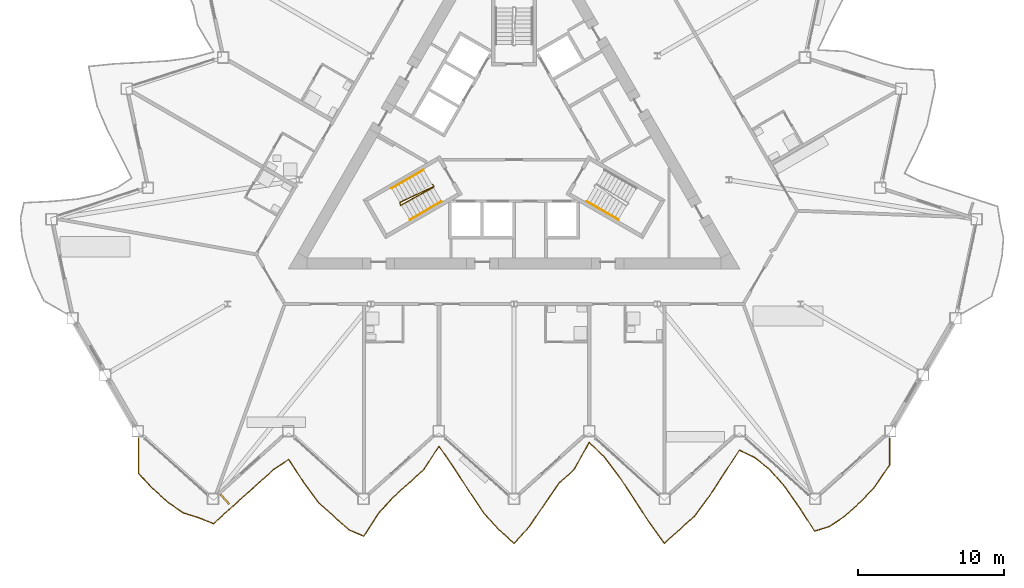
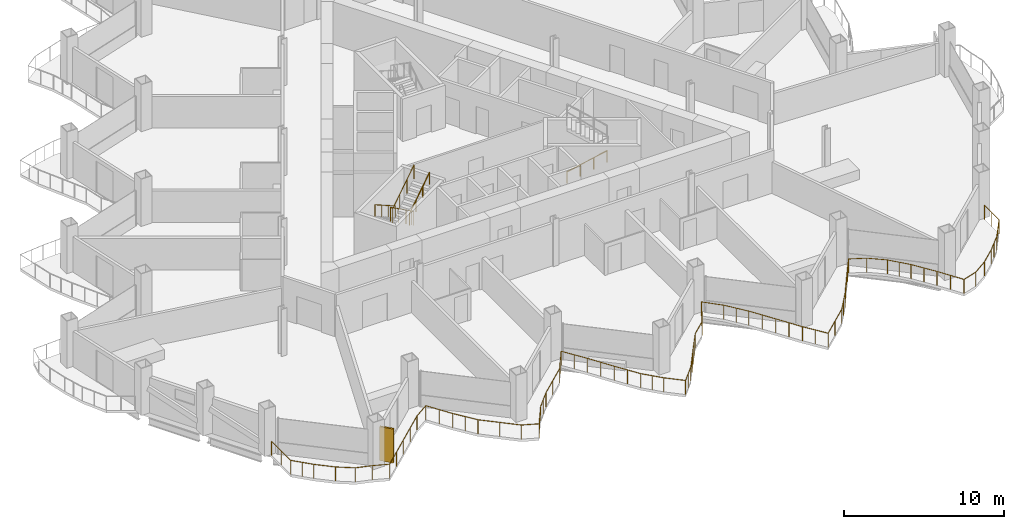
# One storey, part 19 of 23: 5 railings, 1 shading device.
"""IFC4 building model written with IfcOpenShell, lengths in metres."""

from ifc_helpers import new_model, si_unit, direction, frame, origin, origin_2d, place, context, subcontext, project, spatial, rectangle, circle, extrude, material, layer, layer_set, type_object, element, save


model = new_model("IFC4")

# Units and contexts
model_context = context("Model", 3, precision=1e-05, world=origin(), true_north=direction((0.0, 1.0)))
body_context = subcontext(model_context, "Body", "Model", "MODEL_VIEW")
ifc_project = project(units=[si_unit("LENGTHUNIT", "METRE"), si_unit("AREAUNIT", "SQUARE_METRE"), si_unit("VOLUMEUNIT", "CUBIC_METRE"), si_unit("PLANEANGLEUNIT", "RADIAN"), si_unit("MASSUNIT", "GRAM", prefix="KILO")], contexts=[model_context])

# Site, building, storey
site_placement = place(None, origin())
site = spatial("IfcSite", under=ifc_project, at=site_placement, CompositionType="ELEMENT")
building_placement = place(site_placement, origin())
building = spatial("IfcBuilding", under=site, at=building_placement, Name="Cormorant Prow Tower", CompositionType="ELEMENT")
storey_placement = place(building_placement, frame((0.0, 0.0, 208.800048828125)))
storey = spatial("IfcBuildingStorey", under=building, at=storey_placement, Name="L46", CompositionType="ELEMENT", Elevation=208.800048828125)

# Railings
ifc_material_1 = material(Name="Aluminium 6063-T6", Category="aluminium")
railing_type_1 = type_object("IfcRailingType", Name="Balcony guard 1100", PredefinedType="GUARDRAIL", material=ifc_material_1)
railing_1_placement = place(storey_placement, frame((-25.7783203125, -20.56494140625, 0.0)))
element("IfcRailing", 1, at=railing_1_placement, inside=storey, type_object=railing_type_1, Name="Balcony guard S", PredefinedType="GUARDRAIL", context=body_context, shape_type="SweptSolid", body=[
    extrude(circle(Radius=0.02392578125, at=origin_2d()), frame((0.0, 0.0, 1.076171875), z_axis=(0.0, -1.0, 0.0), x_axis=(1.0, 0.0, 0.0)), (0.0, 0.0, 1.0), 2.40380859375),
    extrude(circle(Radius=0.02392578125, at=origin_2d()), frame((0.0, -2.40380859375, 1.076171875), z_axis=(0.685769725177, -0.727818579064, 0.0), x_axis=(0.727818579064, 0.685769725177, 0.0)), (0.0, 0.0, 1.0), 1.50390625),
    extrude(circle(Radius=0.02392578125, at=origin_2d()), frame((1.03125, -3.498291015625, 1.076171875), z_axis=(0.74317165604, -0.669100806799, 0.0), x_axis=(0.669100806799, 0.74317165604, 0.0)), (0.0, 0.0, 1.0), 1.3876953125),
    extrude(circle(Radius=0.02392578125, at=origin_2d()), frame((2.0625, -4.4267578125, 1.076171875), z_axis=(0.825800981874, -0.563961646158, 0.0), x_axis=(0.563961646158, 0.825800981874, 0.0)), (0.0, 0.0, 1.0), 1.24853515625),
    extrude(circle(Radius=0.02392578125, at=origin_2d()), frame((3.093505859375, -5.130859375, 1.076171875), z_axis=(0.954395491604, -0.298545215347, 0.0), x_axis=(0.298545215347, 0.954395491604, 0.0)), (0.0, 0.0, 1.0), 1.080322265625),
    extrude(circle(Radius=0.02392578125, at=origin_2d()), frame((4.12451171875, -5.453369140625, 1.076171875), z_axis=(0.929655900178, -0.368428971804, 0.0), x_axis=(0.368428971804, 0.929655900178, 0.0)), (0.0, 0.0, 1.0), 1.109375),
    extrude(circle(Radius=0.02392578125, at=origin_2d()), frame((5.15576171875, -5.862060546875, 1.076171875), z_axis=(0.74317165604, 0.669100806799, 0.0), x_axis=(-0.669100806799, 0.74317165604, 0.0)), (0.0, 0.0, 1.0), 1.3876953125),
    extrude(circle(Radius=0.02392578125, at=origin_2d()), frame((6.18701171875, -4.93359375, 1.076171875), z_axis=(0.743180377895, 0.669091119289, 0.0), x_axis=(-0.669091119289, 0.743180377895, 0.0)), (0.0, 0.0, 1.0), 1.38720703125),
    extrude(circle(Radius=0.02392578125, at=origin_2d()), frame((7.218017578125, -4.00537109375, 1.076171875), z_axis=(0.743092872858, 0.669188301084, 0.0), x_axis=(-0.669188301084, 0.743092872858, 0.0)), (0.0, 0.0, 1.0), 1.387451171875),
    extrude(circle(Radius=0.02392578125, at=origin_2d()), frame((8.2490234375, -3.076904296875, 1.076171875), z_axis=(0.74317165604, 0.669100806799, 0.0), x_axis=(-0.669100806799, 0.74317165604, 0.0)), (0.0, 0.0, 1.0), 1.3876953125),
    extrude(circle(Radius=0.02392578125, at=origin_2d()), frame((9.2802734375, -2.1484375, 1.076171875), z_axis=(0.831231964357, 0.555925733738, 0.0), x_axis=(-0.555925733738, 0.831231964357, 0.0)), (0.0, 0.0, 1.0), 1.24072265625),
    extrude(circle(Radius=0.02392578125, at=origin_2d()), frame((10.3115234375, -1.458740234375, 1.076171875), z_axis=(0.545396842067, -0.838177955248, 0.0), x_axis=(0.838177955248, 0.545396842067, 0.0)), (0.0, 0.0, 1.0), 1.890380859375),
    extrude(circle(Radius=0.02392578125, at=origin_2d()), frame((11.342529296875, -3.043212890625, 1.076171875), z_axis=(0.597620452194, -0.801779143604, 0.0), x_axis=(0.801779143604, 0.597620452194, 0.0)), (0.0, 0.0, 1.0), 1.7255859375),
    extrude(circle(Radius=0.02392578125, at=origin_2d()), frame((12.373779296875, -4.4267578125, 1.076171875), z_axis=(0.743092872858, -0.669188301084, 0.0), x_axis=(0.669188301084, 0.743092872858, 0.0)), (0.0, 0.0, 1.0), 1.387451171875),
    extrude(circle(Radius=0.02392578125, at=origin_2d()), frame((13.40478515625, -5.355224609375, 1.076171875), z_axis=(0.74317165604, -0.669100806799, 0.0), x_axis=(0.669100806799, 0.74317165604, 0.0)), (0.0, 0.0, 1.0), 1.3876953125),
    extrude(circle(Radius=0.02392578125, at=origin_2d()), frame((14.43603515625, -6.28369140625, 1.076171875), z_axis=(0.919684859289, -0.392657305541, 0.0), x_axis=(0.392657305541, 0.919684859289, 0.0)), (0.0, 0.0, 1.0), 1.12109375),
    extrude(circle(Radius=0.02392578125, at=origin_2d()), frame((15.467041015625, -6.723876953125, 1.076171875), z_axis=(0.544544202521, 0.838732145265, 0.0), x_axis=(-0.838732145265, 0.544544202521, 0.0)), (0.0, 0.0, 1.0), 1.893798828125),
    extrude(circle(Radius=0.02392578125, at=origin_2d()), frame((16.498291015625, -5.135498046875, 1.076171875), z_axis=(0.673966571856, 0.738761842558, 0.0), x_axis=(-0.738761842558, 0.673966571856, 0.0)), (0.0, 0.0, 1.0), 1.52978515625),
    extrude(circle(Radius=0.02392578125, at=origin_2d()), frame((17.529296875, -4.00537109375, 1.076171875), z_axis=(0.743092872858, 0.669188301084, 0.0), x_axis=(-0.669188301084, 0.743092872858, 0.0)), (0.0, 0.0, 1.0), 1.387451171875),
    extrude(circle(Radius=0.02392578125, at=origin_2d()), frame((18.560302734375, -3.076904296875, 1.076171875), z_axis=(0.74317165604, 0.669100806799, 0.0), x_axis=(-0.669100806799, 0.74317165604, 0.0)), (0.0, 0.0, 1.0), 1.3876953125),
    extrude(circle(Radius=0.02392578125, at=origin_2d()), frame((19.591552734375, -2.1484375, 1.076171875), z_axis=(0.543016722299, 0.839721882116, 0.0), x_axis=(-0.839721882116, 0.543016722299, 0.0)), (0.0, 0.0, 1.0), 1.899169921875),
    extrude(circle(Radius=0.02392578125, at=origin_2d()), frame((20.622802734375, -0.5537109375, 1.076171875), z_axis=(0.57173467359, -0.820438579672, 0.0), x_axis=(0.820438579672, 0.57173467359, 0.0)), (0.0, 0.0, 1.0), 1.80322265625),
    extrude(circle(Radius=0.02392578125, at=origin_2d()), frame((21.65380859375, -2.033203125, 1.076171875), z_axis=(0.541755718017, -0.84053598495, 0.0), x_axis=(0.84053598495, 0.541755718017, 0.0)), (0.0, 0.0, 1.0), 1.903076171875),
    extrude(circle(Radius=0.02392578125, at=origin_2d()), frame((22.684814453125, -3.6328125, 1.076171875), z_axis=(0.560012386904, -0.828484234319, 0.0), x_axis=(0.828484234319, 0.560012386904, 0.0)), (0.0, 0.0, 1.0), 1.841552734375),
    extrude(circle(Radius=0.02392578125, at=origin_2d()), frame((23.716064453125, -5.158447265625, 1.076171875), z_axis=(0.675644949458, -0.737227171414, 0.0), x_axis=(0.737227171414, 0.675644949458, 0.0)), (0.0, 0.0, 1.0), 1.5263671875),
    extrude(circle(Radius=0.02392578125, at=origin_2d()), frame((24.747314453125, -6.28369140625, 1.076171875), z_axis=(0.743092872858, -0.669188301084, 0.0), x_axis=(0.669188301084, 0.743092872858, 0.0)), (0.0, 0.0, 1.0), 1.387451171875),
    extrude(circle(Radius=0.02392578125, at=origin_2d()), frame((25.7783203125, -7.212158203125, 1.076171875), z_axis=(0.676914144191, 0.736061982033, 0.0), x_axis=(-0.736061982033, 0.676914144191, 0.0)), (0.0, 0.0, 1.0), 1.523193359375),
    extrude(circle(Radius=0.02392578125, at=origin_2d()), frame((26.809326171875, -6.091064453125, 1.076171875), z_axis=(0.560381643012, 0.828234516412, 0.0), x_axis=(-0.828234516412, 0.560381643012, 0.0)), (0.0, 0.0, 1.0), 1.84033203125),
    extrude(circle(Radius=0.02392578125, at=origin_2d()), frame((27.840576171875, -4.56689453125, 1.076171875), z_axis=(0.56910488379, 0.822264939813, 0.0), x_axis=(-0.822264939813, 0.56910488379, 0.0)), (0.0, 0.0, 1.0), 1.81201171875),
    extrude(circle(Radius=0.02392578125, at=origin_2d()), frame((28.871826171875, -3.076904296875, 1.076171875), z_axis=(0.743092872858, 0.669188301084, 0.0), x_axis=(-0.669188301084, 0.743092872858, 0.0)), (0.0, 0.0, 1.0), 1.387451171875),
    extrude(circle(Radius=0.02392578125, at=origin_2d()), frame((29.90283203125, -2.1484375, 1.076171875), z_axis=(0.483813132269, 0.875171327824, 0.0), x_axis=(-0.875171327824, 0.483813132269, 0.0)), (0.0, 0.0, 1.0), 2.131103515625),
    extrude(circle(Radius=0.02392578125, at=origin_2d()), frame((30.933837890625, -0.283447265625, 1.076171875), z_axis=(0.713580860804, -0.700572876362, 0.0), x_axis=(0.700572876362, 0.713580860804, 0.0)), (0.0, 0.0, 1.0), 1.445068359375),
    extrude(circle(Radius=0.02392578125, at=origin_2d()), frame((31.965087890625, -1.2958984375, 1.076171875), z_axis=(0.608053713766, -0.793895888121, 0.0), x_axis=(0.793895888121, 0.608053713766, 0.0)), (0.0, 0.0, 1.0), 1.696044921875),
    extrude(circle(Radius=0.02392578125, at=origin_2d()), frame((32.996337890625, -2.642333984375, 1.076171875), z_axis=(0.551591691077, -0.834114264555, 0.0), x_axis=(0.834114264555, 0.551591691077, 0.0)), (0.0, 0.0, 1.0), 1.869140625),
    extrude(circle(Radius=0.02392578125, at=origin_2d()), frame((34.02734375, -4.201416015625, 1.076171875), z_axis=(0.544276914444, -0.838905620677, 0.0), x_axis=(0.838905620677, 0.544276914444, 0.0)), (0.0, 0.0, 1.0), 1.894287109375),
    extrude(circle(Radius=0.02392578125, at=origin_2d()), frame((35.058349609375, -5.79052734375, 1.076171875), z_axis=(0.587179398241, -0.809456826694, 0.0), x_axis=(0.809456826694, 0.587179398241, 0.0)), (0.0, 0.0, 1.0), 1.75634765625),
    extrude(circle(Radius=0.02392578125, at=origin_2d()), frame((36.089599609375, -7.212158203125, 1.076171875), z_axis=(0.743092872858, 0.669188301084, 0.0), x_axis=(-0.669188301084, 0.743092872858, 0.0)), (0.0, 0.0, 1.0), 1.387451171875),
    extrude(circle(Radius=0.02392578125, at=origin_2d()), frame((37.12060546875, -6.28369140625, 1.076171875), z_axis=(0.74317165604, 0.669100806799, 0.0), x_axis=(-0.669100806799, 0.74317165604, 0.0)), (0.0, 0.0, 1.0), 1.3876953125),
    extrude(circle(Radius=0.02392578125, at=origin_2d()), frame((38.15185546875, -5.355224609375, 1.076171875), z_axis=(0.598887585668, 0.800833103544, 0.0), x_axis=(-0.800833103544, 0.598887585668, 0.0)), (0.0, 0.0, 1.0), 1.721435546875),
    extrude(circle(Radius=0.02392578125, at=origin_2d()), frame((39.182861328125, -3.9765625, 1.076171875), z_axis=(0.545664732632, 0.838003579683, 0.0), x_axis=(-0.838003579683, 0.545664732632, 0.0)), (0.0, 0.0, 1.0), 1.889892578125),
    extrude(circle(Radius=0.02392578125, at=origin_2d()), frame((40.214111328125, -2.392822265625, 1.076171875), z_axis=(0.54949461473, 0.835497258154, 0.0), x_axis=(-0.835497258154, 0.54949461473, 0.0)), (0.0, 0.0, 1.0), 1.876220703125),
    extrude(circle(Radius=0.02392578125, at=origin_2d()), frame((41.2451171875, -0.8251953125, 1.076171875), z_axis=(0.90306196208, -0.429510293991, 0.0), x_axis=(0.429510293991, 0.90306196208, 0.0)), (0.0, 0.0, 1.0), 1.141845703125),
    extrude(circle(Radius=0.02392578125, at=origin_2d()), frame((42.2763671875, -1.315673828125, 1.076171875), z_axis=(0.783233005969, -0.621728283384, 0.0), x_axis=(0.621728283384, 0.783233005969, 0.0)), (0.0, 0.0, 1.0), 1.316650390625),
    extrude(circle(Radius=0.02392578125, at=origin_2d()), frame((43.3076171875, -2.13427734375, 1.076171875), z_axis=(0.658526687319, -0.752557374616, 0.0), x_axis=(0.752557374616, 0.658526687319, 0.0)), (0.0, 0.0, 1.0), 1.565673828125),
    extrude(circle(Radius=0.02392578125, at=origin_2d()), frame((44.338623046875, -3.3125, 1.076171875), z_axis=(0.575243690146, -0.817982088403, 0.0), x_axis=(0.817982088403, 0.575243690146, 0.0)), (0.0, 0.0, 1.0), 1.792236328125),
    extrude(circle(Radius=0.02392578125, at=origin_2d()), frame((45.36962890625, -4.778564453125, 1.076171875), z_axis=(0.542314015265, -0.84017587971, 0.0), x_axis=(0.84017587971, 0.542314015265, 0.0)), (0.0, 0.0, 1.0), 1.901611328125),
    extrude(circle(Radius=0.02392578125, at=origin_2d()), frame((46.40087890625, -6.376220703125, 1.076171875), z_axis=(0.954801190555, 0.297245162306, 0.0), x_axis=(-0.297245162306, 0.954801190555, 0.0)), (0.0, 0.0, 1.0), 1.080078125),
    extrude(circle(Radius=0.02392578125, at=origin_2d()), frame((47.43212890625, -6.05517578125, 1.076171875), z_axis=(0.827348964649, 0.56168825045, 0.0), x_axis=(-0.56168825045, 0.827348964649, 0.0)), (0.0, 0.0, 1.0), 1.24609375),
    extrude(circle(Radius=0.02392578125, at=origin_2d()), frame((48.463134765625, -5.355224609375, 1.076171875), z_axis=(0.743092872858, 0.669188301084, 0.0), x_axis=(-0.669188301084, 0.743092872858, 0.0)), (0.0, 0.0, 1.0), 1.387451171875),
    extrude(circle(Radius=0.02392578125, at=origin_2d()), frame((49.494140625, -4.4267578125, 1.076171875), z_axis=(0.687067596605, 0.726593502376, 0.0), x_axis=(-0.726593502376, 0.687067596605, 0.0)), (0.0, 0.0, 1.0), 1.5009765625),
    extrude(circle(Radius=0.02392578125, at=origin_2d()), frame((50.525390625, -3.336181640625, 1.076171875), z_axis=(0.563225107883, 0.826303502262, 0.0), x_axis=(-0.826303502262, 0.563225107883, 0.0)), (0.0, 0.0, 1.0), 1.8310546875),
    extrude(circle(Radius=0.02392578125, at=origin_2d()), frame((51.556640625, -1.8232421875, 1.076171875), z_axis=(0.0, 1.0, 0.0), x_axis=(-1.0, 0.0, 0.0)), (0.0, 0.0, 1.0), 1.8232421875),
    extrude(circle(Radius=0.02099609375, at=origin_2d()), origin(), (0.0, 0.0, 1.0), 1.052001953125),
    extrude(circle(Radius=0.02099609375, at=origin_2d()), frame((0.0, -1.201904296875, 0.0)), (0.0, 0.0, 1.0), 1.052001953125),
    extrude(circle(Radius=0.02099609375, at=origin_2d()), frame((0.0, -2.40380859375, 0.0)), (0.0, 0.0, 1.0), 1.052001953125),
    extrude(circle(Radius=0.02099609375, at=origin_2d()), frame((0.515625, -2.951171875, 0.0)), (0.0, 0.0, 1.0), 1.052001953125),
    extrude(circle(Radius=0.02099609375, at=origin_2d()), frame((1.03125, -3.498291015625, 0.0)), (0.0, 0.0, 1.0), 1.052001953125),
    extrude(circle(Radius=0.02099609375, at=origin_2d()), frame((2.0625, -4.4267578125, 0.0)), (0.0, 0.0, 1.0), 1.052001953125),
    extrude(circle(Radius=0.02099609375, at=origin_2d()), frame((3.093505859375, -5.130859375, 0.0)), (0.0, 0.0, 1.0), 1.052001953125),
    extrude(circle(Radius=0.02099609375, at=origin_2d()), frame((4.12451171875, -5.453369140625, 0.0)), (0.0, 0.0, 1.0), 1.052001953125),
    extrude(circle(Radius=0.02099609375, at=origin_2d()), frame((5.15576171875, -5.862060546875, 0.0)), (0.0, 0.0, 1.0), 1.052001953125),
    extrude(circle(Radius=0.02099609375, at=origin_2d()), frame((6.18701171875, -4.93359375, 0.0)), (0.0, 0.0, 1.0), 1.052001953125),
    extrude(circle(Radius=0.02099609375, at=origin_2d()), frame((7.218017578125, -4.00537109375, 0.0)), (0.0, 0.0, 1.0), 1.052001953125),
    extrude(circle(Radius=0.02099609375, at=origin_2d()), frame((8.2490234375, -3.076904296875, 0.0)), (0.0, 0.0, 1.0), 1.052001953125),
    extrude(circle(Radius=0.02099609375, at=origin_2d()), frame((9.2802734375, -2.1484375, 0.0)), (0.0, 0.0, 1.0), 1.052001953125),
    extrude(circle(Radius=0.02099609375, at=origin_2d()), frame((10.3115234375, -1.458740234375, 0.0)), (0.0, 0.0, 1.0), 1.052001953125),
    extrude(circle(Radius=0.02099609375, at=origin_2d()), frame((10.8271484375, -2.2509765625, 0.0)), (0.0, 0.0, 1.0), 1.052001953125),
    extrude(circle(Radius=0.02099609375, at=origin_2d()), frame((11.342529296875, -3.043212890625, 0.0)), (0.0, 0.0, 1.0), 1.052001953125),
    extrude(circle(Radius=0.02099609375, at=origin_2d()), frame((11.858154296875, -3.73486328125, 0.0)), (0.0, 0.0, 1.0), 1.052001953125),
    extrude(circle(Radius=0.02099609375, at=origin_2d()), frame((12.373779296875, -4.4267578125, 0.0)), (0.0, 0.0, 1.0), 1.052001953125),
    extrude(circle(Radius=0.02099609375, at=origin_2d()), frame((13.40478515625, -5.355224609375, 0.0)), (0.0, 0.0, 1.0), 1.052001953125),
    extrude(circle(Radius=0.02099609375, at=origin_2d()), frame((14.43603515625, -6.28369140625, 0.0)), (0.0, 0.0, 1.0), 1.052001953125),
    extrude(circle(Radius=0.02099609375, at=origin_2d()), frame((15.467041015625, -6.723876953125, 0.0)), (0.0, 0.0, 1.0), 1.052001953125),
    extrude(circle(Radius=0.02099609375, at=origin_2d()), frame((15.982666015625, -5.9296875, 0.0)), (0.0, 0.0, 1.0), 1.052001953125),
    extrude(circle(Radius=0.02099609375, at=origin_2d()), frame((16.498291015625, -5.135498046875, 0.0)), (0.0, 0.0, 1.0), 1.052001953125),
    extrude(circle(Radius=0.02099609375, at=origin_2d()), frame((17.013671875, -4.5703125, 0.0)), (0.0, 0.0, 1.0), 1.052001953125),
    extrude(circle(Radius=0.02099609375, at=origin_2d()), frame((17.529296875, -4.00537109375, 0.0)), (0.0, 0.0, 1.0), 1.052001953125),
    extrude(circle(Radius=0.02099609375, at=origin_2d()), frame((18.560302734375, -3.076904296875, 0.0)), (0.0, 0.0, 1.0), 1.052001953125),
    extrude(circle(Radius=0.02099609375, at=origin_2d()), frame((19.591552734375, -2.1484375, 0.0)), (0.0, 0.0, 1.0), 1.052001953125),
    extrude(circle(Radius=0.02099609375, at=origin_2d()), frame((20.107177734375, -1.35107421875, 0.0)), (0.0, 0.0, 1.0), 1.052001953125),
    extrude(circle(Radius=0.02099609375, at=origin_2d()), frame((20.622802734375, -0.5537109375, 0.0)), (0.0, 0.0, 1.0), 1.052001953125),
    extrude(circle(Radius=0.02099609375, at=origin_2d()), frame((21.13818359375, -1.29345703125, 0.0)), (0.0, 0.0, 1.0), 1.052001953125),
    extrude(circle(Radius=0.02099609375, at=origin_2d()), frame((21.65380859375, -2.033203125, 0.0)), (0.0, 0.0, 1.0), 1.052001953125),
    extrude(circle(Radius=0.02099609375, at=origin_2d()), frame((22.16943359375, -2.8330078125, 0.0)), (0.0, 0.0, 1.0), 1.052001953125),
    extrude(circle(Radius=0.02099609375, at=origin_2d()), frame((22.684814453125, -3.6328125, 0.0)), (0.0, 0.0, 1.0), 1.052001953125),
    extrude(circle(Radius=0.02099609375, at=origin_2d()), frame((23.200439453125, -4.3955078125, 0.0)), (0.0, 0.0, 1.0), 1.052001953125),
    extrude(circle(Radius=0.02099609375, at=origin_2d()), frame((23.716064453125, -5.158447265625, 0.0)), (0.0, 0.0, 1.0), 1.052001953125),
    extrude(circle(Radius=0.02099609375, at=origin_2d()), frame((24.231689453125, -5.72119140625, 0.0)), (0.0, 0.0, 1.0), 1.052001953125),
    extrude(circle(Radius=0.02099609375, at=origin_2d()), frame((24.747314453125, -6.28369140625, 0.0)), (0.0, 0.0, 1.0), 1.052001953125),
    extrude(circle(Radius=0.02099609375, at=origin_2d()), frame((25.7783203125, -7.212158203125, 0.0)), (0.0, 0.0, 1.0), 1.052001953125),
    extrude(circle(Radius=0.02099609375, at=origin_2d()), frame((26.2939453125, -6.651611328125, 0.0)), (0.0, 0.0, 1.0), 1.052001953125),
    extrude(circle(Radius=0.02099609375, at=origin_2d()), frame((26.809326171875, -6.091064453125, 0.0)), (0.0, 0.0, 1.0), 1.052001953125),
    extrude(circle(Radius=0.02099609375, at=origin_2d()), frame((27.324951171875, -5.3291015625, 0.0)), (0.0, 0.0, 1.0), 1.052001953125),
    extrude(circle(Radius=0.02099609375, at=origin_2d()), frame((27.840576171875, -4.56689453125, 0.0)), (0.0, 0.0, 1.0), 1.052001953125),
    extrude(circle(Radius=0.02099609375, at=origin_2d()), frame((28.356201171875, -3.82177734375, 0.0)), (0.0, 0.0, 1.0), 1.052001953125),
    extrude(circle(Radius=0.02099609375, at=origin_2d()), frame((28.871826171875, -3.076904296875, 0.0)), (0.0, 0.0, 1.0), 1.052001953125),
    extrude(circle(Radius=0.02099609375, at=origin_2d()), frame((29.90283203125, -2.1484375, 0.0)), (0.0, 0.0, 1.0), 1.052001953125),
    extrude(circle(Radius=0.02099609375, at=origin_2d()), frame((30.41845703125, -1.2158203125, 0.0)), (0.0, 0.0, 1.0), 1.052001953125),
    extrude(circle(Radius=0.02099609375, at=origin_2d()), frame((30.933837890625, -0.283447265625, 0.0)), (0.0, 0.0, 1.0), 1.052001953125),
    extrude(circle(Radius=0.02099609375, at=origin_2d()), frame((31.965087890625, -1.2958984375, 0.0)), (0.0, 0.0, 1.0), 1.052001953125),
    extrude(circle(Radius=0.02099609375, at=origin_2d()), frame((32.480712890625, -1.96923828125, 0.0)), (0.0, 0.0, 1.0), 1.052001953125),
    extrude(circle(Radius=0.02099609375, at=origin_2d()), frame((32.996337890625, -2.642333984375, 0.0)), (0.0, 0.0, 1.0), 1.052001953125),
    extrude(circle(Radius=0.02099609375, at=origin_2d()), frame((33.51171875, -3.421875, 0.0)), (0.0, 0.0, 1.0), 1.052001953125),
    extrude(circle(Radius=0.02099609375, at=origin_2d()), frame((34.02734375, -4.201416015625, 0.0)), (0.0, 0.0, 1.0), 1.052001953125),
    extrude(circle(Radius=0.02099609375, at=origin_2d()), frame((34.54296875, -4.99609375, 0.0)), (0.0, 0.0, 1.0), 1.052001953125),
    extrude(circle(Radius=0.02099609375, at=origin_2d()), frame((35.058349609375, -5.79052734375, 0.0)), (0.0, 0.0, 1.0), 1.052001953125),
    extrude(circle(Radius=0.02099609375, at=origin_2d()), frame((35.573974609375, -6.50146484375, 0.0)), (0.0, 0.0, 1.0), 1.052001953125),
    extrude(circle(Radius=0.02099609375, at=origin_2d()), frame((36.089599609375, -7.212158203125, 0.0)), (0.0, 0.0, 1.0), 1.052001953125),
    extrude(circle(Radius=0.02099609375, at=origin_2d()), frame((37.12060546875, -6.28369140625, 0.0)), (0.0, 0.0, 1.0), 1.052001953125),
    extrude(circle(Radius=0.02099609375, at=origin_2d()), frame((38.15185546875, -5.355224609375, 0.0)), (0.0, 0.0, 1.0), 1.052001953125),
    extrude(circle(Radius=0.02099609375, at=origin_2d()), frame((38.66748046875, -4.666015625, 0.0)), (0.0, 0.0, 1.0), 1.052001953125),
    extrude(circle(Radius=0.02099609375, at=origin_2d()), frame((39.182861328125, -3.9765625, 0.0)), (0.0, 0.0, 1.0), 1.052001953125),
    extrude(circle(Radius=0.02099609375, at=origin_2d()), frame((39.698486328125, -3.1845703125, 0.0)), (0.0, 0.0, 1.0), 1.052001953125),
    extrude(circle(Radius=0.02099609375, at=origin_2d()), frame((40.214111328125, -2.392822265625, 0.0)), (0.0, 0.0, 1.0), 1.052001953125),
    extrude(circle(Radius=0.02099609375, at=origin_2d()), frame((40.7294921875, -1.60888671875, 0.0)), (0.0, 0.0, 1.0), 1.052001953125),
    extrude(circle(Radius=0.02099609375, at=origin_2d()), frame((41.2451171875, -0.8251953125, 0.0)), (0.0, 0.0, 1.0), 1.052001953125),
    extrude(circle(Radius=0.02099609375, at=origin_2d()), frame((42.2763671875, -1.315673828125, 0.0)), (0.0, 0.0, 1.0), 1.052001953125),
    extrude(circle(Radius=0.02099609375, at=origin_2d()), frame((43.3076171875, -2.13427734375, 0.0)), (0.0, 0.0, 1.0), 1.052001953125),
    extrude(circle(Radius=0.02099609375, at=origin_2d()), frame((43.8232421875, -2.723388671875, 0.0)), (0.0, 0.0, 1.0), 1.052001953125),
    extrude(circle(Radius=0.02099609375, at=origin_2d()), frame((44.338623046875, -3.3125, 0.0)), (0.0, 0.0, 1.0), 1.052001953125),
    extrude(circle(Radius=0.02099609375, at=origin_2d()), frame((44.85400390625, -4.04541015625, 0.0)), (0.0, 0.0, 1.0), 1.052001953125),
    extrude(circle(Radius=0.02099609375, at=origin_2d()), frame((45.36962890625, -4.778564453125, 0.0)), (0.0, 0.0, 1.0), 1.052001953125),
    extrude(circle(Radius=0.02099609375, at=origin_2d()), frame((45.88525390625, -5.577392578125, 0.0)), (0.0, 0.0, 1.0), 1.052001953125),
    extrude(circle(Radius=0.02099609375, at=origin_2d()), frame((46.40087890625, -6.376220703125, 0.0)), (0.0, 0.0, 1.0), 1.052001953125),
    extrude(circle(Radius=0.02099609375, at=origin_2d()), frame((47.43212890625, -6.05517578125, 0.0)), (0.0, 0.0, 1.0), 1.052001953125),
    extrude(circle(Radius=0.02099609375, at=origin_2d()), frame((48.463134765625, -5.355224609375, 0.0)), (0.0, 0.0, 1.0), 1.052001953125),
    extrude(circle(Radius=0.02099609375, at=origin_2d()), frame((49.494140625, -4.4267578125, 0.0)), (0.0, 0.0, 1.0), 1.052001953125),
    extrude(circle(Radius=0.02099609375, at=origin_2d()), frame((50.009765625, -3.88134765625, 0.0)), (0.0, 0.0, 1.0), 1.052001953125),
    extrude(circle(Radius=0.02099609375, at=origin_2d()), frame((50.525390625, -3.336181640625, 0.0)), (0.0, 0.0, 1.0), 1.052001953125),
    extrude(circle(Radius=0.02099609375, at=origin_2d()), frame((51.041015625, -2.57958984375, 0.0)), (0.0, 0.0, 1.0), 1.052001953125),
    extrude(circle(Radius=0.02099609375, at=origin_2d()), frame((51.556640625, -1.8232421875, 0.0)), (0.0, 0.0, 1.0), 1.052001953125),
    extrude(circle(Radius=0.02099609375, at=origin_2d()), frame((51.556640625, -0.91162109375, 0.0)), (0.0, 0.0, 1.0), 1.052001953125),
    extrude(circle(Radius=0.02099609375, at=origin_2d()), frame((51.556640625, 0.0, 0.0)), (0.0, 0.0, 1.0), 1.052001953125),
])
ifc_material_2 = material(Name="Stainless steel", Category="steel")
railing_type_2 = type_object("IfcRailingType", Name="Stair guard 1100", PredefinedType="GUARDRAIL", material=ifc_material_2)
railing_2_placement = place(storey_placement, frame((-5.585205078125, -3.137939453125, 0.0)))
element("IfcRailing", 2, at=railing_2_placement, inside=storey, type_object=railing_type_2, Name="L46 ST1 stair guard 1", PredefinedType="GUARDRAIL", context=body_context, shape_type="SweptSolid", body=[
    extrude(circle(Radius=0.02392578125, at=origin_2d()), frame((0.0, 0.0, 1.076171875), z_axis=(0.501036270542, -0.865426285481, 0.0), x_axis=(0.865426285481, 0.501036270542, 0.0)), (0.0, 0.0, 1.0), 0.150146484375),
    extrude(circle(Radius=0.02392578125, at=origin_2d()), frame((0.0751953125, -0.1298828125, 1.076171875), z_axis=(-0.739707038506, -0.353624380995, 0.572523619033), x_axis=(0.431308035802, -0.902204731895, 0.0)), (0.0, 0.0, 1.0), 3.14404296875),
    extrude(circle(Radius=0.02392578125, at=origin_2d()), frame((-2.25048828125, -1.24169921875, 2.8759765625), z_axis=(0.274721127897, -0.961523947641, 0.0), x_axis=(0.961523947641, 0.274721127897, 0.0)), (0.0, 0.0, 1.0), 0.2060546875),
    extrude(circle(Radius=0.02392578125, at=origin_2d()), frame((-2.19384765625, -1.43994140625, 2.8759765625), z_axis=(0.717255481879, 0.395700334183, 0.573555419504), x_axis=(-0.483052234887, 0.87559153626, 0.0)), (0.0, 0.0, 1.0), 3.137939453125),
    extrude(circle(Radius=0.02099609375, at=origin_2d()), origin(), (0.0, 0.0, 1.0), 1.052001953125),
    extrude(circle(Radius=0.02099609375, at=origin_2d()), frame((0.0751953125, -0.1298828125, 0.0)), (0.0, 0.0, 1.0), 1.052001953125),
    extrude(circle(Radius=0.02099609375, at=origin_2d()), frame((-0.699951171875, -0.50048828125, 0.60009765625)), (0.0, 0.0, 1.0), 1.052001953125),
    extrude(circle(Radius=0.02099609375, at=origin_2d()), frame((-1.475341796875, -0.87109375, 1.199951171875)), (0.0, 0.0, 1.0), 1.052001953125),
    extrude(circle(Radius=0.02099609375, at=origin_2d()), frame((-2.25048828125, -1.24169921875, 1.800048828125)), (0.0, 0.0, 1.0), 1.052001953125),
    extrude(circle(Radius=0.02099609375, at=origin_2d()), frame((-2.19384765625, -1.43994140625, 1.800048828125)), (0.0, 0.0, 1.0), 1.052001953125),
    extrude(circle(Radius=0.02099609375, at=origin_2d()), frame((-1.443603515625, -1.026123046875, 2.39990234375)), (0.0, 0.0, 1.0), 1.052001953125),
    extrude(circle(Radius=0.02099609375, at=origin_2d()), frame((-0.693359375, -0.612060546875, 3.0)), (0.0, 0.0, 1.0), 1.052001953125),
    extrude(circle(Radius=0.02099609375, at=origin_2d()), frame((0.056884765625, -0.1982421875, 3.599853515625)), (0.0, 0.0, 1.0), 1.052001953125),
])
ifc_material_3 = material(Name="Stainless steel", Category="steel")
railing_type_3 = type_object("IfcRailingType", Name="Stair handrail 900", PredefinedType="HANDRAIL", material=ifc_material_3)
railing_3_placement = place(storey_placement, frame((-6.212890625, -2.150634765625, 0.179931640625)))
element("IfcRailing", 3, at=railing_3_placement, inside=storey, type_object=railing_type_3, Name="L46 ST1 stair handrail 1", PredefinedType="HANDRAIL", context=body_context, shape_type="SweptSolid", body=[
    extrude(circle(Radius=0.02392578125, at=origin_2d()), frame((0.0, 0.0, 0.8759765625), z_axis=(-0.728463801763, -0.420584145978, 0.540785970299), x_axis=(0.500004791531, -0.866022637375, 0.0)), (0.0, 0.0, 1.0), 2.995849609375),
    extrude(circle(Radius=0.02099609375, at=origin_2d()), origin(), (0.0, 0.0, 1.0), 0.851806640625),
    extrude(circle(Radius=0.02099609375, at=origin_2d()), frame((-0.7275390625, -0.419921875, 0.5400390625)), (0.0, 0.0, 1.0), 0.851806640625),
    extrude(circle(Radius=0.02099609375, at=origin_2d()), frame((-1.454833984375, -0.840087890625, 1.080078125)), (0.0, 0.0, 1.0), 0.851806640625),
    extrude(circle(Radius=0.02099609375, at=origin_2d()), frame((-2.182373046875, -1.260009765625, 1.6201171875)), (0.0, 0.0, 1.0), 0.851806640625),
])
railing_4_placement = place(storey_placement, frame((-7.1513671875, -5.565185546875, 1.97998046875)))
element("IfcRailing", 4, at=railing_4_placement, inside=storey, type_object=railing_type_3, Name="L46 ST1 stair handrail 2", PredefinedType="HANDRAIL", context=body_context, shape_type="SweptSolid", body=[
    extrude(circle(Radius=0.02392578125, at=origin_2d()), frame((0.0, 0.0, 0.8759765625), z_axis=(0.72849590497, 0.42060268101, 0.54072830624), x_axis=(-0.500004791531, 0.866022637375, 0.0)), (0.0, 0.0, 1.0), 2.99560546875),
    extrude(circle(Radius=0.02099609375, at=origin_2d()), origin(), (0.0, 0.0, 1.0), 0.851806640625),
    extrude(circle(Radius=0.02099609375, at=origin_2d()), frame((0.7275390625, 0.419921875, 0.5400390625)), (0.0, 0.0, 1.0), 0.851806640625),
    extrude(circle(Radius=0.02099609375, at=origin_2d()), frame((1.454833984375, 0.840087890625, 1.079833984375)), (0.0, 0.0, 1.0), 0.851806640625),
    extrude(circle(Radius=0.02099609375, at=origin_2d()), frame((2.182373046875, 1.260009765625, 1.619873046875)), (0.0, 0.0, 1.0), 0.851806640625),
])
railing_5_placement = place(storey_placement, frame((4.968994140625, -4.30517578125, 0.179931640625)))
element("IfcRailing", 5, at=railing_5_placement, inside=storey, type_object=railing_type_3, Name="L46 ST2 stair handrail 1", PredefinedType="HANDRAIL", context=body_context, shape_type="SweptSolid", body=[
    extrude(circle(Radius=0.02392578125, at=origin_2d()), frame((0.0, 0.0, 0.8759765625), z_axis=(0.728463801763, -0.420584145978, 0.540785970299), x_axis=(0.500004791531, 0.866022637375, 0.0)), (0.0, 0.0, 1.0), 2.995849609375),
    extrude(circle(Radius=0.02099609375, at=origin_2d()), origin(), (0.0, 0.0, 1.0), 0.851806640625),
    extrude(circle(Radius=0.02099609375, at=origin_2d()), frame((0.7275390625, -0.419921875, 0.5400390625)), (0.0, 0.0, 1.0), 0.851806640625),
    extrude(circle(Radius=0.02099609375, at=origin_2d()), frame((1.454833984375, -0.840087890625, 1.080078125)), (0.0, 0.0, 1.0), 0.851806640625),
    extrude(circle(Radius=0.02099609375, at=origin_2d()), frame((2.182373046875, -1.260009765625, 1.6201171875)), (0.0, 0.0, 1.0), 0.851806640625),
])

# Shading device
ifc_material_4 = material(Name="Terracotta", Category="masonry")
ifc_layer = layer(ifc_material_4, 0.1201171875)
ifc_layer_set = layer_set([ifc_layer], Name="Terracotta")
shading_device_type = type_object("IfcShadingDeviceType", Name="Terracotta baguette fin 120x900x2600", PredefinedType="USERDEFINED", material=ifc_layer_set)
shading_device_placement = place(storey_placement, frame((-19.854736328125, -24.7412109375, 0.0), z_axis=(0.0, 0.0, 1.0), x_axis=(0.743144804304, 0.669130629874, 0.0)))
element("IfcShadingDevice", 6, at=shading_device_placement, inside=storey, type_object=shading_device_type, Name="Baguette fin S01", ObjectType="BAGUETTE", PredefinedType="USERDEFINED", context=body_context, shape_type="SweptSolid", body=[
    extrude(rectangle(XDim=0.1201171875, YDim=0.89990234375, at=origin_2d()), origin(), (0.0, 0.0, 1.0), 2.60009765625),
])

save(model, "model.ifc")
